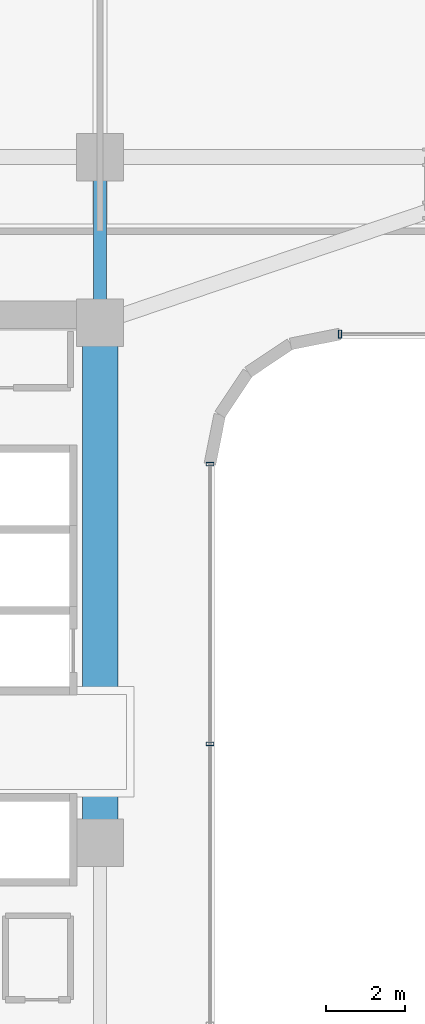
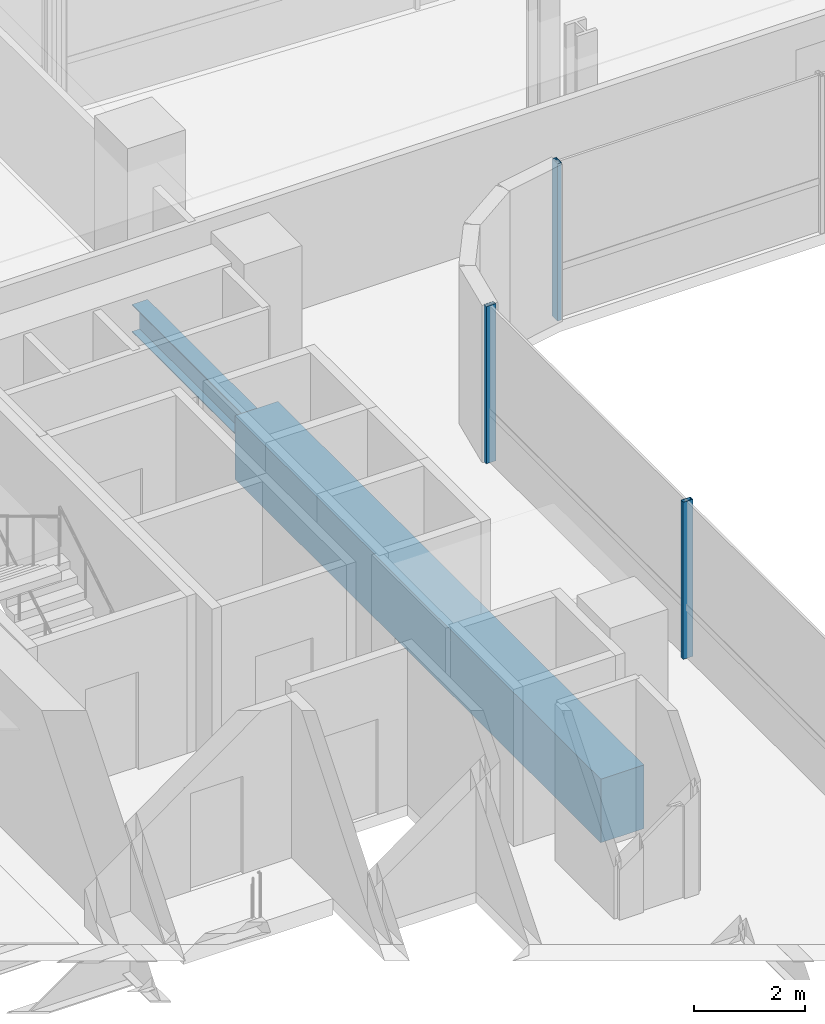
# One storey, part 10 of 34: 3 members, 2 beams, 2 elements without a shape of their own.
"""IFC4 building model written with IfcOpenShell, lengths in metres."""

from ifc_helpers import new_model, si_unit, direction, frame, origin, origin_2d, place, context, subcontext, project, spatial, rectangle, hollow_rectangle, i_section, extrude, source, transform, mapped, material, material_profile, profile_set, type_object, element, aggregate, save


model = new_model("IFC4")

# Units and contexts
model_context = context("Model", 3, precision=1e-05, world=origin(), true_north=direction((0.0, 1.0)))
body_context = subcontext(model_context, "Body", "Model", "MODEL_VIEW")
ifc_project = project(units=[si_unit("LENGTHUNIT", "METRE"), si_unit("AREAUNIT", "SQUARE_METRE"), si_unit("VOLUMEUNIT", "CUBIC_METRE"), si_unit("PLANEANGLEUNIT", "RADIAN"), si_unit("MASSUNIT", "GRAM", prefix="KILO")], contexts=[model_context])

# Site, building, storey
site_placement = place(None, origin())
site = spatial("IfcSite", under=ifc_project, at=site_placement, CompositionType="ELEMENT")
building_placement = place(site_placement, origin())
building = spatial("IfcBuilding", under=site, at=building_placement, Name="Valdorenza Pilgrim Sanctuary Tower", CompositionType="ELEMENT")
storey_placement = place(building_placement, frame((0.0, 0.0, 120.5)))
storey = spatial("IfcBuildingStorey", under=building, at=storey_placement, Name="L30", CompositionType="ELEMENT", Elevation=120.5)

# Beams
ifc_material_1 = material(Name="Concrete C60/75", Category="concrete")
ifc_material_profile_1 = material_profile(ifc_material_1, rectangle(XDim=0.89990234375, YDim=1.39990234375, at=origin_2d()), Name="RC 1400x900")
ifc_profile_set_1 = profile_set([ifc_material_profile_1], Name="Concrete C60/75")
beam_type_1 = type_object("IfcBeamType", Name="STR-BM-LNT-1400", PredefinedType="LINTEL", material=ifc_profile_set_1)
shared_shape_1 = source(origin(), body_context, "Body", "SweptSolid", [
    extrude(rectangle(XDim=0.89990234375, YDim=1.39990234375, at=origin_2d()), origin(), (0.0, 0.0, 1.0), 13.2001953125),
])
beam_1_placement = place(storey_placement, frame((-12.39990234375, -2.60009765625, -0.739990234375), z_axis=(0.0, 1.0, 0.0), x_axis=(-1.0, 0.0, 0.0)))
element("IfcBeam", 1, at=beam_1_placement, inside=storey, type_object=beam_type_1, Name="L30 Core A Coupling Lintel Girder", PredefinedType="LINTEL", context=body_context, shape_type="MappedRepresentation", body=[
    mapped(shared_shape_1, transform((0.0, 0.0, 0.0), x_axis=(1.0, 0.0, 0.0), y_axis=(0.0, 1.0, 0.0), z_axis=(0.0, 0.0, 1.0), scale=1.0)),
])
ifc_material_2 = material(Name="Steel ASTM A992 Grade 50", Category="steel")
ifc_material_profile_2 = material_profile(ifc_material_2, i_section(OverallWidth=0.323974609375, OverallDepth=0.611083984375, WebThickness=0.0126953125, FlangeThickness=0.01904296875, at=origin_2d()), Name="W24X104")
ifc_profile_set_2 = profile_set([ifc_material_profile_2], Name="Steel ASTM A992 Grade 50")
beam_type_2 = type_object("IfcBeamType", Name="STR-BM-GRD-W24B", PredefinedType="BEAM", material=ifc_profile_set_2)
shared_shape_2 = source(origin(), body_context, "Body", "SweptSolid", [
    extrude(i_section(OverallWidth=0.323974609375, OverallDepth=0.611083984375, WebThickness=0.0126953125, FlangeThickness=0.01904296875, at=origin_2d()), origin(), (0.0, 0.0, 1.0), 4.199951171875),
])
beam_2_placement = place(storey_placement, frame((-12.39990234375, 10.60009765625, -0.54541015625), z_axis=(0.0, 1.0, 0.0), x_axis=(-1.0, 0.0, 0.0)))
element("IfcBeam", 2, at=beam_2_placement, inside=storey, type_object=beam_type_2, Name="L30 Core Tie Girder CA-E-N1N2", PredefinedType="BEAM", context=body_context, shape_type="MappedRepresentation", body=[
    mapped(shared_shape_2, transform((0.0, 0.0, 0.0), x_axis=(1.0, 0.0, 0.0), y_axis=(0.0, 1.0, 0.0), z_axis=(0.0, 0.0, 1.0), scale=1.0)),
])

# Curtain wall, member
ifc_material_3 = material(Name="Curtain-wall IGU glazing", Category="glass")
curtain_wall_type = type_object("IfcCurtainWallType", Name="CW-SYS-02", PredefinedType="NOTDEFINED", material=ifc_material_3)
curtain_wall_1_placement = place(storey_placement, origin())
curtain_wall_1 = element("IfcCurtainWall", 3, at=curtain_wall_1_placement, inside=storey, type_object=curtain_wall_type, Name="L30 Curtain Wall CW-L30-1-36", PredefinedType="NOTDEFINED")
ifc_material_4 = material(Name="Anodised aluminium AW-6060", Category="aluminium")
ifc_material_profile_3 = material_profile(ifc_material_4, hollow_rectangle(XDim=0.0849609375, YDim=0.199951171875, WallThickness=0.0048828125, at=origin_2d()), Name="ALU-M 200x85x5")
ifc_profile_set_3 = profile_set([ifc_material_profile_3], Name="Anodised aluminium AW-6060")
member_type = type_object("IfcMemberType", Name="CW-MUL-02", PredefinedType="MULLION", material=ifc_profile_set_3)
shared_shape_3 = source(origin(), body_context, "Body", "SweptSolid", [
    extrude(hollow_rectangle(XDim=0.0849609375, YDim=0.199951171875, WallThickness=0.0048828125, at=origin_2d()), origin(), (0.0, 0.0, 1.0), 3.4599609375),
])
member_1_placement = place(storey_placement, frame((-6.310791015625, 10.31005859375, 0.0), z_axis=(0.0, 0.0, 1.0), x_axis=(-1.0, 0.0, 0.0)))
member_1 = element("IfcMember", 4, at=member_1_placement, type_object=member_type, Name="CW-L30-1-36 Mullion 4", PredefinedType="MULLION", context=body_context, shape_type="MappedRepresentation", body=[
    mapped(shared_shape_3, transform((0.0, 0.0, 0.0), x_axis=(1.0, 0.0, 0.0), y_axis=(0.0, 1.0, 0.0), z_axis=(0.0, 0.0, 1.0), scale=1.0)),
])
aggregate(curtain_wall_1, [member_1])

# Curtain wall, members
curtain_wall_2_placement = place(storey_placement, origin())
curtain_wall_2 = element("IfcCurtainWall", 5, at=curtain_wall_2_placement, inside=storey, type_object=curtain_wall_type, Name="L30 Curtain Wall CW-L30-1-41", PredefinedType="NOTDEFINED")
member_2_placement = place(storey_placement, frame((-9.610107421875, 7.0107421875, 0.0), z_axis=(0.0, 0.0, 1.0), x_axis=(0.0, -1.0, 0.0)))
member_2 = element("IfcMember", 6, at=member_2_placement, type_object=member_type, Name="CW-L30-1-41 Mullion 1", PredefinedType="MULLION", context=body_context, shape_type="MappedRepresentation", body=[
    mapped(shared_shape_3, transform((0.0, 0.0, 0.0), x_axis=(1.0, 0.0, 0.0), y_axis=(0.0, 1.0, 0.0), z_axis=(0.0, 0.0, 1.0), scale=1.0)),
])
member_3_placement = place(storey_placement, frame((-9.610107421875, -0.089111328125, 0.0), z_axis=(0.0, 0.0, 1.0), x_axis=(0.0, -1.0, 0.0)))
member_3 = element("IfcMember", 7, at=member_3_placement, type_object=member_type, Name="CW-L30-1-41 Mullion 2", PredefinedType="MULLION", context=body_context, shape_type="MappedRepresentation", body=[
    mapped(shared_shape_3, transform((0.0, 0.0, 0.0), x_axis=(1.0, 0.0, 0.0), y_axis=(0.0, 1.0, 0.0), z_axis=(0.0, 0.0, 1.0), scale=1.0)),
])
aggregate(curtain_wall_2, [member_2, member_3])

save(model, "model.ifc")
